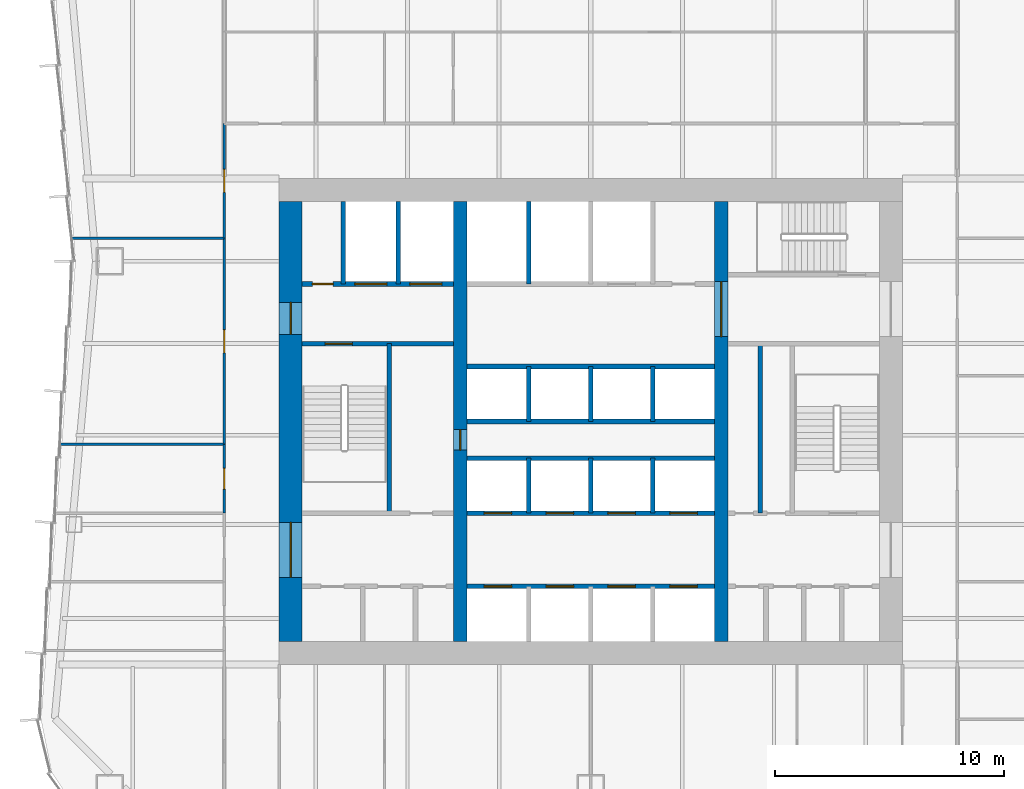
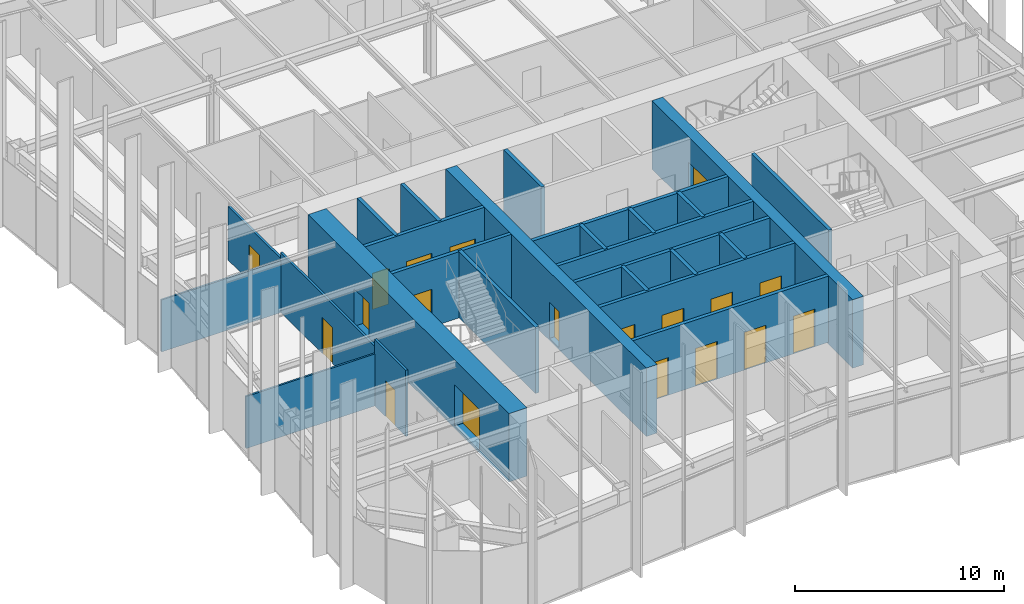
# One storey, part 10 of 13: 26 walls, 19 doors, 19 openings.
"""IFC4 building model written with IfcOpenShell, lengths in metres."""

from ifc_helpers import new_model, si_unit, direction, frame, frame_2d, origin, place, context, subcontext, project, spatial, rectangle, extrude, material, layer, layer_set, type_object, element, fill, save


model = new_model("IFC4")

# Units and contexts
model_context = context("Model", 3, precision=1e-05, world=origin(), true_north=direction((0.0, 1.0)))
body_context = subcontext(model_context, "Body", "Model", "MODEL_VIEW")
ifc_project = project(units=[si_unit("LENGTHUNIT", "METRE"), si_unit("AREAUNIT", "SQUARE_METRE"), si_unit("VOLUMEUNIT", "CUBIC_METRE"), si_unit("PLANEANGLEUNIT", "RADIAN"), si_unit("MASSUNIT", "GRAM", prefix="KILO")], contexts=[model_context])

# Site, building, storey
site_placement = place(None, origin())
site = spatial("IfcSite", under=ifc_project, at=site_placement, CompositionType="ELEMENT")
building_placement = place(site_placement, origin())
building = spatial("IfcBuilding", under=site, at=building_placement, Name="Verdant Reach Tower", CompositionType="ELEMENT")
storey_placement = place(building_placement, frame((0.0, 0.0, 126.0)))
storey = spatial("IfcBuildingStorey", under=building, at=storey_placement, Name="L28", CompositionType="ELEMENT", Elevation=126.0)

# Wall
ifc_material_1 = material(Name="Gypsum board on steel studs", Category="steel")
ifc_layer_1 = layer(ifc_material_1, 0.199951171875)
ifc_layer_set_1 = layer_set([ifc_layer_1], Name="CO-WALL-ROOM")
wall_type_1 = type_object("IfcWallType", Name="CO-WALL-ROOM", PredefinedType="PARTITIONING", material=ifc_layer_set_1)
wall_1_placement = place(storey_placement, frame((7.39990234375, 24.0, 0.0), z_axis=(0.0, 0.0, 1.0), x_axis=(0.0, 1.0, 0.0)))
element("IfcWall", 1, at=wall_1_placement, inside=storey, type_object=wall_type_1, Name="Core partition, L28", PredefinedType="PARTITIONING", context=body_context, shape_type="SweptSolid", body=[
    extrude(rectangle(XDim=7.39990234375, YDim=0.199951171875, at=frame_2d((3.699951171875, 0.0))), origin(), (0.0, 0.0, 1.0), 3.8701171875),
])

# Wall, openings, doors
ifc_material_2 = material(Name="Concrete C40/50", Category="concrete")
ifc_layer_2 = layer(ifc_material_2, 0.199951171875)
ifc_layer_set_2 = layer_set([ifc_layer_2], Name="CO-WALL-SHAFT")
wall_type_2 = type_object("IfcWallType", Name="CO-WALL-SHAFT", PredefinedType="PARTITIONING", material=ifc_layer_set_2)
wall_2_placement = place(storey_placement, frame((-5.39990234375, 20.800048828125, 0.0), z_axis=(0.0, 0.0, 1.0), x_axis=(1.0, 0.0, 0.0)))
wall_2 = element("IfcWall", 2, at=wall_2_placement, inside=storey, type_object=wall_type_2, Name="Lift shaft wall, L28", PredefinedType="PARTITIONING", context=body_context, shape_type="SweptSolid", body=[
    extrude(rectangle(XDim=10.7998046875, YDim=0.199951171875, at=frame_2d((5.39990234375, 0.0))), origin(), (0.0, 0.0, 1.0), 3.8701171875),
])
opening_1_placement = place(wall_2_placement, frame((0.75, 0.0, 0.0)))
opening_1 = element("IfcOpeningElement", 3, at=opening_1_placement, cuts=wall_2, Name="Opening LD-A1", PredefinedType="OPENING", context=body_context, shape_type="SweptSolid", body=[
    extrude(rectangle(XDim=1.199951171875, YDim=2.199951171875, at=frame_2d((0.60009765625, 1.10009765625))), frame((0.0, 0.10986328125, 0.0), z_axis=(0.0, -1.0, 0.0), x_axis=(1.0, 0.0, 0.0)), (0.0, 0.0, 1.0), 0.219970703125),
])
opening_2_placement = place(wall_2_placement, frame((3.449951171875, 0.0, 0.0)))
opening_2 = element("IfcOpeningElement", 4, at=opening_2_placement, cuts=wall_2, Name="Opening LD-A2", PredefinedType="OPENING", context=body_context, shape_type="SweptSolid", body=[
    extrude(rectangle(XDim=1.199951171875, YDim=2.199951171875, at=frame_2d((0.60009765625, 1.10009765625))), frame((0.0, 0.10986328125, 0.0), z_axis=(0.0, -1.0, 0.0), x_axis=(1.0, 0.0, 0.0)), (0.0, 0.0, 1.0), 0.219970703125),
])
opening_3_placement = place(wall_2_placement, frame((6.14990234375, 0.0, 0.0)))
opening_3 = element("IfcOpeningElement", 5, at=opening_3_placement, cuts=wall_2, Name="Opening LD-A3", PredefinedType="OPENING", context=body_context, shape_type="SweptSolid", body=[
    extrude(rectangle(XDim=1.199951171875, YDim=2.199951171875, at=frame_2d((0.60009765625, 1.10009765625))), frame((0.0, 0.10986328125, 0.0), z_axis=(0.0, -1.0, 0.0), x_axis=(1.0, 0.0, 0.0)), (0.0, 0.0, 1.0), 0.219970703125),
])
opening_4_placement = place(wall_2_placement, frame((8.85009765625, 0.0, 0.0)))
opening_4 = element("IfcOpeningElement", 6, at=opening_4_placement, cuts=wall_2, Name="Opening LD-A4", PredefinedType="OPENING", context=body_context, shape_type="SweptSolid", body=[
    extrude(rectangle(XDim=1.199951171875, YDim=2.199951171875, at=frame_2d((0.60009765625, 1.10009765625))), frame((0.0, 0.10986328125, 0.0), z_axis=(0.0, -1.0, 0.0), x_axis=(1.0, 0.0, 0.0)), (0.0, 0.0, 1.0), 0.219970703125),
])
ifc_material_3 = material(Name="Stainless steel", Category="steel")
door_type_1 = type_object("IfcDoorType", Name="CO-DOOR-LANDING", OperationType="SLIDING_TO_LEFT", PredefinedType="DOOR", material=ifc_material_3)
door_1_placement = place(opening_1_placement, origin())
door_1 = element("IfcDoor", 7, at=door_1_placement, inside=storey, type_object=door_type_1, Name="Landing door A1, L28", OperationType="SLIDING_TO_LEFT", OverallHeight=2.199951171875, OverallWidth=1.199951171875, PredefinedType="DOOR", context=body_context, shape_type="SweptSolid", body=[
    extrude(rectangle(XDim=1.199951171875, YDim=2.199951171875, at=frame_2d((0.60009765625, 1.10009765625))), frame((0.0, 0.02490234375, 0.0), z_axis=(0.0, -1.0, 0.0), x_axis=(1.0, 0.0, 0.0)), (0.0, 0.0, 1.0), 0.050048828125),
])
fill(opening_1, door_1)
door_2_placement = place(opening_2_placement, origin())
door_2 = element("IfcDoor", 8, at=door_2_placement, inside=storey, type_object=door_type_1, Name="Landing door A2, L28", OperationType="SLIDING_TO_LEFT", OverallHeight=2.199951171875, OverallWidth=1.199951171875, PredefinedType="DOOR", context=body_context, shape_type="SweptSolid", body=[
    extrude(rectangle(XDim=1.199951171875, YDim=2.199951171875, at=frame_2d((0.60009765625, 1.10009765625))), frame((0.0, 0.02490234375, 0.0), z_axis=(0.0, -1.0, 0.0), x_axis=(1.0, 0.0, 0.0)), (0.0, 0.0, 1.0), 0.050048828125),
])
fill(opening_2, door_2)
door_3_placement = place(opening_3_placement, origin())
door_3 = element("IfcDoor", 9, at=door_3_placement, inside=storey, type_object=door_type_1, Name="Landing door A3, L28", OperationType="SLIDING_TO_LEFT", OverallHeight=2.199951171875, OverallWidth=1.199951171875, PredefinedType="DOOR", context=body_context, shape_type="SweptSolid", body=[
    extrude(rectangle(XDim=1.199951171875, YDim=2.199951171875, at=frame_2d((0.60009765625, 1.10009765625))), frame((0.0, 0.02490234375, 0.0), z_axis=(0.0, -1.0, 0.0), x_axis=(1.0, 0.0, 0.0)), (0.0, 0.0, 1.0), 0.050048828125),
])
fill(opening_3, door_3)
door_4_placement = place(opening_4_placement, origin())
door_4 = element("IfcDoor", 10, at=door_4_placement, inside=storey, type_object=door_type_1, Name="Landing door A4, L28", OperationType="SLIDING_TO_LEFT", OverallHeight=2.199951171875, OverallWidth=1.199951171875, PredefinedType="DOOR", context=body_context, shape_type="SweptSolid", body=[
    extrude(rectangle(XDim=1.199951171875, YDim=2.199951171875, at=frame_2d((0.60009765625, 1.10009765625))), frame((0.0, 0.02490234375, 0.0), z_axis=(0.0, -1.0, 0.0), x_axis=(1.0, 0.0, 0.0)), (0.0, 0.0, 1.0), 0.050048828125),
])
fill(opening_4, door_4)

wall_3_placement = place(storey_placement, frame((-5.39990234375, 24.0, 0.0), z_axis=(0.0, 0.0, 1.0), x_axis=(1.0, 0.0, 0.0)))
wall_3 = element("IfcWall", 11, at=wall_3_placement, inside=storey, type_object=wall_type_2, Name="Lift shaft wall, L28", PredefinedType="PARTITIONING", context=body_context, shape_type="SweptSolid", body=[
    extrude(rectangle(XDim=10.7998046875, YDim=0.199951171875, at=frame_2d((5.39990234375, 0.0))), origin(), (0.0, 0.0, 1.0), 3.8701171875),
])
opening_5_placement = place(wall_3_placement, frame((0.75, 0.0, 0.0)))
opening_5 = element("IfcOpeningElement", 12, at=opening_5_placement, cuts=wall_3, Name="Opening LD-A5", PredefinedType="OPENING", context=body_context, shape_type="SweptSolid", body=[
    extrude(rectangle(XDim=1.199951171875, YDim=2.199951171875, at=frame_2d((0.60009765625, 1.10009765625))), frame((0.0, 0.10986328125, 0.0), z_axis=(0.0, -1.0, 0.0), x_axis=(1.0, 0.0, 0.0)), (0.0, 0.0, 1.0), 0.219970703125),
])
opening_6_placement = place(wall_3_placement, frame((3.449951171875, 0.0, 0.0)))
opening_6 = element("IfcOpeningElement", 13, at=opening_6_placement, cuts=wall_3, Name="Opening LD-A6", PredefinedType="OPENING", context=body_context, shape_type="SweptSolid", body=[
    extrude(rectangle(XDim=1.199951171875, YDim=2.199951171875, at=frame_2d((0.60009765625, 1.10009765625))), frame((0.0, 0.10986328125, 0.0), z_axis=(0.0, -1.0, 0.0), x_axis=(1.0, 0.0, 0.0)), (0.0, 0.0, 1.0), 0.219970703125),
])
opening_7_placement = place(wall_3_placement, frame((6.14990234375, 0.0, 0.0)))
opening_7 = element("IfcOpeningElement", 14, at=opening_7_placement, cuts=wall_3, Name="Opening LD-A7", PredefinedType="OPENING", context=body_context, shape_type="SweptSolid", body=[
    extrude(rectangle(XDim=1.199951171875, YDim=2.199951171875, at=frame_2d((0.60009765625, 1.10009765625))), frame((0.0, 0.10986328125, 0.0), z_axis=(0.0, -1.0, 0.0), x_axis=(1.0, 0.0, 0.0)), (0.0, 0.0, 1.0), 0.219970703125),
])
opening_8_placement = place(wall_3_placement, frame((8.85009765625, 0.0, 0.0)))
opening_8 = element("IfcOpeningElement", 15, at=opening_8_placement, cuts=wall_3, Name="Opening LD-A8", PredefinedType="OPENING", context=body_context, shape_type="SweptSolid", body=[
    extrude(rectangle(XDim=1.199951171875, YDim=2.199951171875, at=frame_2d((0.60009765625, 1.10009765625))), frame((0.0, 0.10986328125, 0.0), z_axis=(0.0, -1.0, 0.0), x_axis=(1.0, 0.0, 0.0)), (0.0, 0.0, 1.0), 0.219970703125),
])
door_5_placement = place(opening_5_placement, origin())
door_5 = element("IfcDoor", 16, at=door_5_placement, inside=storey, type_object=door_type_1, Name="Landing door A5, L28", OperationType="SLIDING_TO_LEFT", OverallHeight=2.199951171875, OverallWidth=1.199951171875, PredefinedType="DOOR", context=body_context, shape_type="SweptSolid", body=[
    extrude(rectangle(XDim=1.199951171875, YDim=2.199951171875, at=frame_2d((0.60009765625, 1.10009765625))), frame((0.0, 0.02490234375, 0.0), z_axis=(0.0, -1.0, 0.0), x_axis=(1.0, 0.0, 0.0)), (0.0, 0.0, 1.0), 0.050048828125),
])
fill(opening_5, door_5)
door_6_placement = place(opening_6_placement, origin())
door_6 = element("IfcDoor", 17, at=door_6_placement, inside=storey, type_object=door_type_1, Name="Landing door A6, L28", OperationType="SLIDING_TO_LEFT", OverallHeight=2.199951171875, OverallWidth=1.199951171875, PredefinedType="DOOR", context=body_context, shape_type="SweptSolid", body=[
    extrude(rectangle(XDim=1.199951171875, YDim=2.199951171875, at=frame_2d((0.60009765625, 1.10009765625))), frame((0.0, 0.02490234375, 0.0), z_axis=(0.0, -1.0, 0.0), x_axis=(1.0, 0.0, 0.0)), (0.0, 0.0, 1.0), 0.050048828125),
])
fill(opening_6, door_6)
door_7_placement = place(opening_7_placement, origin())
door_7 = element("IfcDoor", 18, at=door_7_placement, inside=storey, type_object=door_type_1, Name="Landing door A7, L28", OperationType="SLIDING_TO_LEFT", OverallHeight=2.199951171875, OverallWidth=1.199951171875, PredefinedType="DOOR", context=body_context, shape_type="SweptSolid", body=[
    extrude(rectangle(XDim=1.199951171875, YDim=2.199951171875, at=frame_2d((0.60009765625, 1.10009765625))), frame((0.0, 0.02490234375, 0.0), z_axis=(0.0, -1.0, 0.0), x_axis=(1.0, 0.0, 0.0)), (0.0, 0.0, 1.0), 0.050048828125),
])
fill(opening_7, door_7)
door_8_placement = place(opening_8_placement, origin())
door_8 = element("IfcDoor", 19, at=door_8_placement, inside=storey, type_object=door_type_1, Name="Landing door A8, L28", OperationType="SLIDING_TO_LEFT", OverallHeight=2.199951171875, OverallWidth=1.199951171875, PredefinedType="DOOR", context=body_context, shape_type="SweptSolid", body=[
    extrude(rectangle(XDim=1.199951171875, YDim=2.199951171875, at=frame_2d((0.60009765625, 1.10009765625))), frame((0.0, 0.02490234375, 0.0), z_axis=(0.0, -1.0, 0.0), x_axis=(1.0, 0.0, 0.0)), (0.0, 0.0, 1.0), 0.050048828125),
])
fill(opening_8, door_8)

# Walls
for number, where, z_axis, x_axis, name in (
    (20, (-5.39990234375, 26.39990234375, 0.0), (0.0, 0.0, 1.0), (1.0, 0.0, 0.0), "Lift shaft wall, L28"),
    (21, (-5.39990234375, 28.0, 0.0), (0.0, 0.0, 1.0), (1.0, 0.0, 0.0), "Lift shaft wall, L28"),
    (22, (-5.39990234375, 30.39990234375, 0.0), (0.0, 0.0, 1.0), (1.0, 0.0, 0.0), "Lift shaft wall, L28"),
):
    element("IfcWall", number, at=place(storey_placement, frame(where, z_axis=z_axis, x_axis=x_axis)), inside=storey, type_object=wall_type_2, Name=name, PredefinedType="PARTITIONING", context=body_context, shape_type="SweptSolid", body=[
        extrude(rectangle(XDim=10.7998046875, YDim=0.199951171875, at=frame_2d((5.39990234375, 0.0))), origin(), (0.0, 0.0, 1.0), 3.8701171875),
    ])

# Wall, openings, doors
wall_4_placement = place(storey_placement, frame((-12.60009765625, 34.0, 0.0), z_axis=(0.0, 0.0, 1.0), x_axis=(1.0, 0.0, 0.0)))
wall_4 = element("IfcWall", 23, at=wall_4_placement, inside=storey, type_object=wall_type_2, Name="Lift shaft wall, L28", PredefinedType="PARTITIONING", context=body_context, shape_type="SweptSolid", body=[
    extrude(rectangle(XDim=6.60009765625, YDim=0.199951171875, at=frame_2d((3.300048828125, 0.0))), origin(), (0.0, 0.0, 1.0), 3.8701171875),
])
opening_9_placement = place(wall_4_placement, frame((4.699951171875, 0.0, 0.0)))
opening_9 = element("IfcOpeningElement", 24, at=opening_9_placement, cuts=wall_4, Name="Opening LD-F1", PredefinedType="OPENING", context=body_context, shape_type="SweptSolid", body=[
    extrude(rectangle(XDim=1.39990234375, YDim=2.199951171875, at=frame_2d((0.699951171875, 1.10009765625))), frame((0.0, 0.10986328125, 0.0), z_axis=(0.0, -1.0, 0.0), x_axis=(1.0, 0.0, 0.0)), (0.0, 0.0, 1.0), 0.219970703125),
])
opening_10_placement = place(wall_4_placement, frame((2.300048828125, 0.0, 0.0)))
opening_10 = element("IfcOpeningElement", 25, at=opening_10_placement, cuts=wall_4, Name="Opening LD-F2", PredefinedType="OPENING", context=body_context, shape_type="SweptSolid", body=[
    extrude(rectangle(XDim=1.39990234375, YDim=2.199951171875, at=frame_2d((0.699951171875, 1.10009765625))), frame((0.0, 0.10986328125, 0.0), z_axis=(0.0, -1.0, 0.0), x_axis=(1.0, 0.0, 0.0)), (0.0, 0.0, 1.0), 0.219970703125),
])
opening_11_placement = place(wall_4_placement, frame((0.449951171875, 0.0, 0.0)))
opening_11 = element("IfcOpeningElement", 26, at=opening_11_placement, cuts=wall_4, Name="Opening RD", PredefinedType="OPENING", context=body_context, shape_type="SweptSolid", body=[
    extrude(rectangle(XDim=0.89990234375, YDim=2.10009765625, at=frame_2d((0.449951171875, 1.050048828125))), frame((0.0, 0.10986328125, 0.0), z_axis=(0.0, -1.0, 0.0), x_axis=(1.0, 0.0, 0.0)), (0.0, 0.0, 1.0), 0.219970703125),
])
door_type_2 = type_object("IfcDoorType", Name="CO-DOOR-LANDING-FF", OperationType="SLIDING_TO_LEFT", PredefinedType="DOOR", material=ifc_material_3)
door_9_placement = place(opening_9_placement, origin())
door_9 = element("IfcDoor", 27, at=door_9_placement, inside=storey, type_object=door_type_2, Name="Landing door F1, L28", OperationType="SLIDING_TO_LEFT", OverallHeight=2.199951171875, OverallWidth=1.39990234375, PredefinedType="DOOR", context=body_context, shape_type="SweptSolid", body=[
    extrude(rectangle(XDim=1.39990234375, YDim=2.199951171875, at=frame_2d((0.699951171875, 1.10009765625))), frame((0.0, 0.02490234375, 0.0), z_axis=(0.0, -1.0, 0.0), x_axis=(1.0, 0.0, 0.0)), (0.0, 0.0, 1.0), 0.050048828125),
])
fill(opening_9, door_9)
door_10_placement = place(opening_10_placement, origin())
door_10 = element("IfcDoor", 28, at=door_10_placement, inside=storey, type_object=door_type_2, Name="Landing door F2, L28", OperationType="SLIDING_TO_LEFT", OverallHeight=2.199951171875, OverallWidth=1.39990234375, PredefinedType="DOOR", context=body_context, shape_type="SweptSolid", body=[
    extrude(rectangle(XDim=1.39990234375, YDim=2.199951171875, at=frame_2d((0.699951171875, 1.10009765625))), frame((0.0, 0.02490234375, 0.0), z_axis=(0.0, -1.0, 0.0), x_axis=(1.0, 0.0, 0.0)), (0.0, 0.0, 1.0), 0.050048828125),
])
fill(opening_10, door_10)
ifc_material_4 = material(Name="Steel", Category="steel")
door_type_3 = type_object("IfcDoorType", Name="CO-DOOR-RISER", OperationType="NOTDEFINED", PredefinedType="DOOR", material=ifc_material_4)
door_11_placement = place(opening_11_placement, origin())
door_11 = element("IfcDoor", 29, at=door_11_placement, inside=storey, type_object=door_type_3, Name="Core room door, L28", OperationType="SINGLE_SWING_RIGHT", OverallHeight=2.10009765625, OverallWidth=0.89990234375, PredefinedType="DOOR", context=body_context, shape_type="SweptSolid", body=[
    extrude(rectangle(XDim=0.89990234375, YDim=2.10009765625, at=frame_2d((0.449951171875, 1.050048828125))), frame((0.0, 0.02490234375, 0.0), z_axis=(0.0, -1.0, 0.0), x_axis=(1.0, 0.0, 0.0)), (0.0, 0.0, 1.0), 0.050048828125),
])
fill(opening_11, door_11)

# Walls
for number, where, z_axis, x_axis, name in (
    (30, (-10.800048828125, 34.0, 0.0), (0.0, 0.0, 1.0), (0.0, 1.0, 0.0), "Lift shaft wall, L28"),
    (31, (-8.39990234375, 34.0, 0.0), (0.0, 0.0, 1.0), (0.0, 1.0, 0.0), "Lift shaft wall, L28"),
):
    element("IfcWall", number, at=place(storey_placement, frame(where, z_axis=z_axis, x_axis=x_axis)), inside=storey, type_object=wall_type_2, Name=name, PredefinedType="PARTITIONING", context=body_context, shape_type="SweptSolid", body=[
        extrude(rectangle(XDim=3.60009765625, YDim=0.199951171875, at=frame_2d((1.800048828125, 0.0))), origin(), (0.0, 0.0, 1.0), 3.8701171875),
    ])
for number, where, z_axis, x_axis, name in (
    (32, (-2.699951171875, 24.0, 0.0), (0.0, 0.0, 1.0), (0.0, 1.0, 0.0), "Lift shaft wall, L28"),
    (33, (-2.699951171875, 28.0, 0.0), (0.0, 0.0, 1.0), (0.0, 1.0, 0.0), "Lift shaft wall, L28"),
):
    element("IfcWall", number, at=place(storey_placement, frame(where, z_axis=z_axis, x_axis=x_axis)), inside=storey, type_object=wall_type_2, Name=name, PredefinedType="PARTITIONING", context=body_context, shape_type="SweptSolid", body=[
        extrude(rectangle(XDim=2.39990234375, YDim=0.199951171875, at=frame_2d((1.199951171875, 0.0))), origin(), (0.0, 0.0, 1.0), 3.8701171875),
    ])
wall_5_placement = place(storey_placement, frame((-2.699951171875, 34.0, 0.0), z_axis=(0.0, 0.0, 1.0), x_axis=(0.0, 1.0, 0.0)))
element("IfcWall", 34, at=wall_5_placement, inside=storey, type_object=wall_type_2, Name="Lift shaft wall, L28", PredefinedType="PARTITIONING", context=body_context, shape_type="SweptSolid", body=[
    extrude(rectangle(XDim=3.60009765625, YDim=0.199951171875, at=frame_2d((1.800048828125, 0.0))), origin(), (0.0, 0.0, 1.0), 3.8701171875),
])
for number, where, z_axis, x_axis, name in (
    (35, (0.0, 24.0, 0.0), (0.0, 0.0, 1.0), (0.0, 1.0, 0.0), "Lift shaft wall, L28"),
    (36, (0.0, 28.0, 0.0), (0.0, 0.0, 1.0), (0.0, 1.0, 0.0), "Lift shaft wall, L28"),
    (37, (2.699951171875, 24.0, 0.0), (0.0, 0.0, 1.0), (0.0, 1.0, 0.0), "Lift shaft wall, L28"),
    (38, (2.699951171875, 28.0, 0.0), (0.0, 0.0, 1.0), (0.0, 1.0, 0.0), "Lift shaft wall, L28"),
):
    element("IfcWall", number, at=place(storey_placement, frame(where, z_axis=z_axis, x_axis=x_axis)), inside=storey, type_object=wall_type_2, Name=name, PredefinedType="PARTITIONING", context=body_context, shape_type="SweptSolid", body=[
        extrude(rectangle(XDim=2.39990234375, YDim=0.199951171875, at=frame_2d((1.199951171875, 0.0))), origin(), (0.0, 0.0, 1.0), 3.8701171875),
    ])

# Wall, opening, door
ifc_layer_3 = layer(ifc_material_2, 0.199951171875)
ifc_layer_set_3 = layer_set([ifc_layer_3], Name="CO-WALL-STAIR")
wall_type_3 = type_object("IfcWallType", Name="CO-WALL-STAIR", PredefinedType="PARTITIONING", material=ifc_layer_set_3)
wall_6_placement = place(storey_placement, frame((-12.60009765625, 31.39990234375, 0.0), z_axis=(0.0, 0.0, 1.0), x_axis=(1.0, 0.0, 0.0)))
wall_6 = element("IfcWall", 39, at=wall_6_placement, inside=storey, type_object=wall_type_3, Name="Stair enclosure wall, L28", PredefinedType="PARTITIONING", context=body_context, shape_type="SweptSolid", body=[
    extrude(rectangle(XDim=6.60009765625, YDim=0.199951171875, at=frame_2d((3.300048828125, 0.0))), origin(), (0.0, 0.0, 1.0), 3.8701171875),
])
opening_12_placement = place(wall_6_placement, frame((1.0, 0.0, 0.0)))
opening_12 = element("IfcOpeningElement", 40, at=opening_12_placement, cuts=wall_6, Name="Opening SD", PredefinedType="OPENING", context=body_context, shape_type="SweptSolid", body=[
    extrude(rectangle(XDim=1.199951171875, YDim=2.199951171875, at=frame_2d((0.60009765625, 1.10009765625))), frame((0.0, 0.10986328125, 0.0), z_axis=(0.0, -1.0, 0.0), x_axis=(1.0, 0.0, 0.0)), (0.0, 0.0, 1.0), 0.219970703125),
])
door_type_4 = type_object("IfcDoorType", Name="CO-DOOR-STAIR", OperationType="NOTDEFINED", PredefinedType="DOOR", material=ifc_material_4)
door_12_placement = place(opening_12_placement, origin())
door_12 = element("IfcDoor", 41, at=door_12_placement, inside=storey, type_object=door_type_4, Name="Stair door, L28", OperationType="SINGLE_SWING_RIGHT", OverallHeight=2.199951171875, OverallWidth=1.199951171875, PredefinedType="DOOR", context=body_context, shape_type="SweptSolid", body=[
    extrude(rectangle(XDim=1.199951171875, YDim=2.199951171875, at=frame_2d((0.60009765625, 1.10009765625))), frame((0.0, 0.02490234375, 0.0), z_axis=(0.0, -1.0, 0.0), x_axis=(1.0, 0.0, 0.0)), (0.0, 0.0, 1.0), 0.050048828125),
])
fill(opening_12, door_12)

# Walls
wall_7_placement = place(storey_placement, frame((-8.800048828125, 24.0, 0.0), z_axis=(0.0, 0.0, 1.0), x_axis=(0.0, 1.0, 0.0)))
element("IfcWall", 42, at=wall_7_placement, inside=storey, type_object=wall_type_3, Name="Stair enclosure wall, L28", PredefinedType="PARTITIONING", context=body_context, shape_type="SweptSolid", body=[
    extrude(rectangle(XDim=7.39990234375, YDim=0.199951171875, at=frame_2d((3.699951171875, 0.0))), origin(), (0.0, 0.0, 1.0), 3.8701171875),
])
ifc_layer_4 = layer(ifc_material_1, 0.10009765625)
ifc_layer_set_4 = layer_set([ifc_layer_4], Name="FL-W1 Partition 100")
wall_type_4 = type_object("IfcWallType", Name="FL-W1 Partition 100", PredefinedType="PARTITIONING", material=ifc_layer_set_4)
wall_8_placement = place(storey_placement, frame((-16.0, 27.0, 0.0), z_axis=(0.0, 0.0, 1.0), x_axis=(-1.0, 0.0, 0.0)))
element("IfcWall", 43, at=wall_8_placement, inside=storey, type_object=wall_type_4, Name="Partition 28.22", PredefinedType="PARTITIONING", context=body_context, shape_type="SweptSolid", body=[
    extrude(rectangle(XDim=7.179931640625, YDim=0.10009765625, at=frame_2d((3.58984375, 0.0))), origin(), (0.0, 0.0, 1.0), 3.0400390625),
])
wall_9_placement = place(storey_placement, frame((-16.0, 36.0, 0.0), z_axis=(0.0, 0.0, 1.0), x_axis=(-1.0, 0.0, 0.0)))
element("IfcWall", 44, at=wall_9_placement, inside=storey, type_object=wall_type_4, Name="Partition 28.23", PredefinedType="PARTITIONING", context=body_context, shape_type="SweptSolid", body=[
    extrude(rectangle(XDim=6.655029296875, YDim=0.10009765625, at=frame_2d((3.32763671875, 0.0))), origin(), (0.0, 0.0, 1.0), 3.0400390625),
])

# Wall, opening, door
ifc_material_5 = material(Name="Gypsum board on steel studs, fire rated", Category="steel")
ifc_layer_5 = layer(ifc_material_5, 0.125)
ifc_layer_set_5 = layer_set([ifc_layer_5], Name="FL-W2 Corridor wall 125")
wall_type_5 = type_object("IfcWallType", Name="FL-W2 Corridor wall 125", PredefinedType="PARTITIONING", material=ifc_layer_set_5)
wall_10_placement = place(storey_placement, frame((-16.0, 24.0, 0.0), z_axis=(0.0, 0.0, 1.0), x_axis=(0.0, 1.0, 0.0)))
wall_10 = element("IfcWall", 45, at=wall_10_placement, inside=storey, type_object=wall_type_5, Name="Partition 28.04", PredefinedType="PARTITIONING", context=body_context, shape_type="SweptSolid", body=[
    extrude(rectangle(XDim=3.0, YDim=0.125, at=frame_2d((1.5, 0.0))), origin(), (0.0, 0.0, 1.0), 3.8701171875),
])
opening_13_placement = place(wall_10_placement, frame((1.050048828125, 0.0, 0.0)))
opening_13 = element("IfcOpeningElement", 46, at=opening_13_placement, cuts=wall_10, Name="Opening D1", PredefinedType="OPENING", context=body_context, shape_type="SweptSolid", body=[
    extrude(rectangle(XDim=0.89990234375, YDim=2.10009765625, at=frame_2d((0.449951171875, 1.050048828125))), frame((0.0, 0.072509765625, 0.0), z_axis=(0.0, -1.0, 0.0), x_axis=(1.0, 0.0, 0.0)), (0.0, 0.0, 1.0), 0.14501953125),
])
ifc_material_6 = material(Name="Painted timber door leaf", Category="wood")
door_type_5 = type_object("IfcDoorType", Name="FL-D1 Door 900x2100", OperationType="NOTDEFINED", PredefinedType="DOOR", material=ifc_material_6)
door_13_placement = place(opening_13_placement, origin())
door_13 = element("IfcDoor", 47, at=door_13_placement, inside=storey, type_object=door_type_5, Name="Door 28-004", OperationType="SINGLE_SWING_RIGHT", OverallHeight=2.10009765625, OverallWidth=0.89990234375, PredefinedType="DOOR", context=body_context, shape_type="SweptSolid", body=[
    extrude(rectangle(XDim=0.89990234375, YDim=2.10009765625, at=frame_2d((0.449951171875, 1.050048828125))), frame((0.0, 0.02490234375, 0.0), z_axis=(0.0, -1.0, 0.0), x_axis=(1.0, 0.0, 0.0)), (0.0, 0.0, 1.0), 0.050048828125),
])
fill(opening_13, door_13)

wall_11_placement = place(storey_placement, frame((-16.0, 27.0, 0.0), z_axis=(0.0, 0.0, 1.0), x_axis=(0.0, 1.0, 0.0)))
wall_11 = element("IfcWall", 48, at=wall_11_placement, inside=storey, type_object=wall_type_5, Name="Partition 28.05", PredefinedType="PARTITIONING", context=body_context, shape_type="SweptSolid", body=[
    extrude(rectangle(XDim=9.0, YDim=0.125, at=frame_2d((4.5, 0.0))), origin(), (0.0, 0.0, 1.0), 3.47998046875),
])
opening_14_placement = place(wall_11_placement, frame((4.0, 0.0, 0.0)))
opening_14 = element("IfcOpeningElement", 49, at=opening_14_placement, cuts=wall_11, Name="Opening D2", PredefinedType="OPENING", context=body_context, shape_type="SweptSolid", body=[
    extrude(rectangle(XDim=1.0, YDim=2.10009765625, at=frame_2d((0.5, 1.050048828125))), frame((0.0, 0.072509765625, 0.0), z_axis=(0.0, -1.0, 0.0), x_axis=(1.0, 0.0, 0.0)), (0.0, 0.0, 1.0), 0.14501953125),
])
ifc_material_7 = material(Name="Timber door leaf, fire rated", Category="wood")
door_type_6 = type_object("IfcDoorType", Name="FL-D2 Entrance door 1000x2100 FD30", OperationType="NOTDEFINED", PredefinedType="DOOR", material=ifc_material_7)
door_14_placement = place(opening_14_placement, origin())
door_14 = element("IfcDoor", 50, at=door_14_placement, inside=storey, type_object=door_type_6, Name="Door 28-005", OperationType="SINGLE_SWING_LEFT", OverallHeight=2.10009765625, OverallWidth=1.0, PredefinedType="DOOR", context=body_context, shape_type="SweptSolid", body=[
    extrude(rectangle(XDim=1.0, YDim=2.10009765625, at=frame_2d((0.5, 1.050048828125))), frame((0.0, 0.02490234375, 0.0), z_axis=(0.0, -1.0, 0.0), x_axis=(1.0, 0.0, 0.0)), (0.0, 0.0, 1.0), 0.050048828125),
])
fill(opening_14, door_14)

wall_12_placement = place(storey_placement, frame((-16.0, 36.0, 0.0), z_axis=(0.0, 0.0, 1.0), x_axis=(0.0, 1.0, 0.0)))
wall_12 = element("IfcWall", 51, at=wall_12_placement, inside=storey, type_object=wall_type_5, Name="Partition 28.06", PredefinedType="PARTITIONING", context=body_context, shape_type="SweptSolid", body=[
    extrude(rectangle(XDim=5.00390625, YDim=0.125, at=frame_2d((2.501953125, 0.0))), origin(), (0.0, 0.0, 1.0), 3.139892578125),
])
opening_15_placement = place(wall_12_placement, frame((2.001953125, 0.0, 0.0)))
opening_15 = element("IfcOpeningElement", 52, at=opening_15_placement, cuts=wall_12, Name="Opening D2", PredefinedType="OPENING", context=body_context, shape_type="SweptSolid", body=[
    extrude(rectangle(XDim=1.0, YDim=2.10009765625, at=frame_2d((0.5, 1.050048828125))), frame((0.0, 0.072509765625, 0.0), z_axis=(0.0, -1.0, 0.0), x_axis=(1.0, 0.0, 0.0)), (0.0, 0.0, 1.0), 0.14501953125),
])
door_15_placement = place(opening_15_placement, origin())
door_15 = element("IfcDoor", 53, at=door_15_placement, inside=storey, type_object=door_type_6, Name="Door 28-006", OperationType="SINGLE_SWING_RIGHT", OverallHeight=2.10009765625, OverallWidth=1.0, PredefinedType="DOOR", context=body_context, shape_type="SweptSolid", body=[
    extrude(rectangle(XDim=1.0, YDim=2.10009765625, at=frame_2d((0.5, 1.050048828125))), frame((0.0, 0.02490234375, 0.0), z_axis=(0.0, -1.0, 0.0), x_axis=(1.0, 0.0, 0.0)), (0.0, 0.0, 1.0), 0.050048828125),
])
fill(opening_15, door_15)

# Wall, openings, doors
ifc_material_8 = material(Name="Concrete C70/85", Category="concrete")
ifc_layer_6 = layer(ifc_material_8, 1.0)
ifc_layer_set_6 = layer_set([ifc_layer_6], Name="ST-CORE-WALL-1000")
wall_type_6 = type_object("IfcWallType", Name="ST-CORE-WALL-1000", PredefinedType="SHEAR", material=ifc_layer_set_6)
wall_13_placement = place(storey_placement, frame((-13.10009765625, 18.39990234375, -0.1298828125), z_axis=(0.0, 0.0, 1.0), x_axis=(0.0, 1.0, 0.0)))
wall_13 = element("IfcWall", 54, at=wall_13_placement, inside=storey, type_object=wall_type_6, Name="Core wall W, L28", PredefinedType="SHEAR", context=body_context, shape_type="SweptSolid", body=[
    extrude(rectangle(XDim=19.2001953125, YDim=1.0, at=frame_2d((9.60009765625, 0.0))), origin(), (0.0, 0.0, 1.0), 4.0),
])
opening_16_placement = place(wall_13_placement, frame((2.800048828125, 0.0, 0.1298828125)))
opening_16 = element("IfcOpeningElement", 55, at=opening_16_placement, cuts=wall_13, Name="Opening LB", PredefinedType="OPENING", context=body_context, shape_type="SweptSolid", body=[
    extrude(rectangle(XDim=2.39990234375, YDim=2.39990234375, at=frame_2d((1.199951171875, 1.199951171875))), frame((0.0, 0.510009765625, 0.0), z_axis=(0.0, -1.0, 0.0), x_axis=(1.0, 0.0, 0.0)), (0.0, 0.0, 1.0), 1.02001953125),
])
opening_17_placement = place(wall_13_placement, frame((13.39990234375, 0.0, 0.1298828125)))
opening_17 = element("IfcOpeningElement", 56, at=opening_17_placement, cuts=wall_13, Name="Opening FL", PredefinedType="OPENING", context=body_context, shape_type="SweptSolid", body=[
    extrude(rectangle(XDim=1.39990234375, YDim=2.199951171875, at=frame_2d((0.699951171875, 1.10009765625))), frame((0.0, 0.510009765625, 0.0), z_axis=(0.0, -1.0, 0.0), x_axis=(1.0, 0.0, 0.0)), (0.0, 0.0, 1.0), 1.02001953125),
])
door_type_7 = type_object("IfcDoorType", Name="CO-DOOR-FFL", OperationType="NOTDEFINED", PredefinedType="DOOR", material=ifc_material_4)
door_16_placement = place(opening_17_placement, origin())
door_16 = element("IfcDoor", 57, at=door_16_placement, inside=storey, type_object=door_type_7, Name="Core entrance door, L28", OperationType="SINGLE_SWING_RIGHT", OverallHeight=2.199951171875, OverallWidth=1.39990234375, PredefinedType="DOOR", context=body_context, shape_type="SweptSolid", body=[
    extrude(rectangle(XDim=1.39990234375, YDim=2.199951171875, at=frame_2d((0.699951171875, 1.10009765625))), frame((0.0, 0.02490234375, 0.0), z_axis=(0.0, -1.0, 0.0), x_axis=(1.0, 0.0, 0.0)), (0.0, 0.0, 1.0), 0.050048828125),
])
fill(opening_17, door_16)
ifc_material_9 = material(Name="Glass and steel", Category="steel")
door_type_8 = type_object("IfcDoorType", Name="CO-DOOR-LOBBY", OperationType="DOUBLE_DOOR_SINGLE_SWING", PredefinedType="DOOR", material=ifc_material_9)
door_17_placement = place(opening_16_placement, origin())
door_17 = element("IfcDoor", 58, at=door_17_placement, inside=storey, type_object=door_type_8, Name="Core entrance door, L28", OperationType="DOUBLE_DOOR_SINGLE_SWING", OverallHeight=2.39990234375, OverallWidth=2.39990234375, PredefinedType="DOOR", context=body_context, shape_type="SweptSolid", body=[
    extrude(rectangle(XDim=2.39990234375, YDim=2.39990234375, at=frame_2d((1.199951171875, 1.199951171875))), frame((0.0, 0.02490234375, 0.0), z_axis=(0.0, -1.0, 0.0), x_axis=(1.0, 0.0, 0.0)), (0.0, 0.0, 1.0), 0.050048828125),
])
fill(opening_16, door_17)

# Wall, opening, door
ifc_layer_7 = layer(ifc_material_8, 0.60009765625)
ifc_layer_set_7 = layer_set([ifc_layer_7], Name="ST-CORE-WALL-600")
wall_type_7 = type_object("IfcWallType", Name="ST-CORE-WALL-600", PredefinedType="SHEAR", material=ifc_layer_set_7)
wall_14_placement = place(storey_placement, frame((-5.699951171875, 18.39990234375, -0.1298828125), z_axis=(0.0, 0.0, 1.0), x_axis=(0.0, 1.0, 0.0)))
wall_14 = element("IfcWall", 59, at=wall_14_placement, inside=storey, type_object=wall_type_7, Name="Core wall XW, L28", PredefinedType="SHEAR", context=body_context, shape_type="SweptSolid", body=[
    extrude(rectangle(XDim=19.2001953125, YDim=0.60009765625, at=frame_2d((9.60009765625, 0.0))), origin(), (0.0, 0.0, 1.0), 4.0),
])
opening_18_placement = place(wall_14_placement, frame((8.35009765625, 0.0, 0.1298828125)))
opening_18 = element("IfcOpeningElement", 60, at=opening_18_placement, cuts=wall_14, Name="Opening RD", PredefinedType="OPENING", context=body_context, shape_type="SweptSolid", body=[
    extrude(rectangle(XDim=0.89990234375, YDim=2.10009765625, at=frame_2d((0.449951171875, 1.050048828125))), frame((0.0, 0.31005859375, 0.0), z_axis=(0.0, -1.0, 0.0), x_axis=(1.0, 0.0, 0.0)), (0.0, 0.0, 1.0), 0.6201171875),
])
door_18_placement = place(opening_18_placement, origin())
door_18 = element("IfcDoor", 61, at=door_18_placement, inside=storey, type_object=door_type_3, Name="Riser door, L28", OperationType="SINGLE_SWING_RIGHT", OverallHeight=2.10009765625, OverallWidth=0.89990234375, PredefinedType="DOOR", context=body_context, shape_type="SweptSolid", body=[
    extrude(rectangle(XDim=0.89990234375, YDim=2.10009765625, at=frame_2d((0.449951171875, 1.050048828125))), frame((0.0, 0.02490234375, 0.0), z_axis=(0.0, -1.0, 0.0), x_axis=(1.0, 0.0, 0.0)), (0.0, 0.0, 1.0), 0.050048828125),
])
fill(opening_18, door_18)

wall_15_placement = place(storey_placement, frame((5.699951171875, 18.39990234375, -0.1298828125), z_axis=(0.0, 0.0, 1.0), x_axis=(0.0, 1.0, 0.0)))
wall_15 = element("IfcWall", 62, at=wall_15_placement, inside=storey, type_object=wall_type_7, Name="Core wall XE, L28", PredefinedType="SHEAR", context=body_context, shape_type="SweptSolid", body=[
    extrude(rectangle(XDim=19.2001953125, YDim=0.60009765625, at=frame_2d((9.60009765625, 0.0))), origin(), (0.0, 0.0, 1.0), 4.0),
])
opening_19_placement = place(wall_15_placement, frame((13.300048828125, 0.0, 0.1298828125)))
opening_19 = element("IfcOpeningElement", 63, at=opening_19_placement, cuts=wall_15, Name="Opening LB", PredefinedType="OPENING", context=body_context, shape_type="SweptSolid", body=[
    extrude(rectangle(XDim=2.39990234375, YDim=2.39990234375, at=frame_2d((1.199951171875, 1.199951171875))), frame((0.0, 0.31005859375, 0.0), z_axis=(0.0, -1.0, 0.0), x_axis=(1.0, 0.0, 0.0)), (0.0, 0.0, 1.0), 0.6201171875),
])
door_19_placement = place(opening_19_placement, origin())
door_19 = element("IfcDoor", 64, at=door_19_placement, inside=storey, type_object=door_type_8, Name="Core entrance door, L28", OperationType="DOUBLE_DOOR_SINGLE_SWING", OverallHeight=2.39990234375, OverallWidth=2.39990234375, PredefinedType="DOOR", context=body_context, shape_type="SweptSolid", body=[
    extrude(rectangle(XDim=2.39990234375, YDim=2.39990234375, at=frame_2d((1.199951171875, 1.199951171875))), frame((0.0, 0.02490234375, 0.0), z_axis=(0.0, -1.0, 0.0), x_axis=(1.0, 0.0, 0.0)), (0.0, 0.0, 1.0), 0.050048828125),
])
fill(opening_19, door_19)

save(model, "model.ifc")
